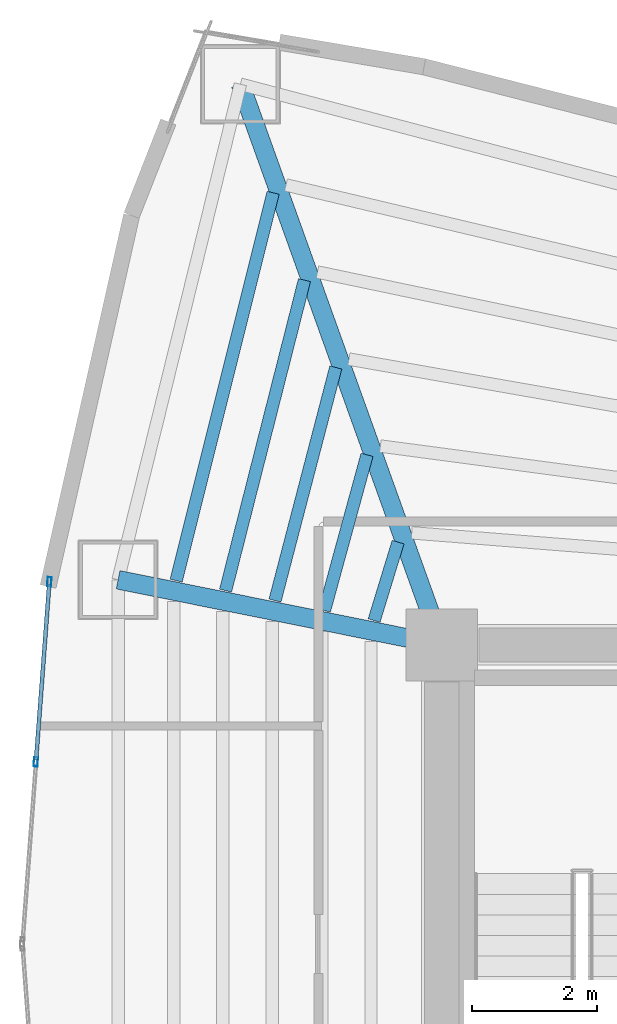
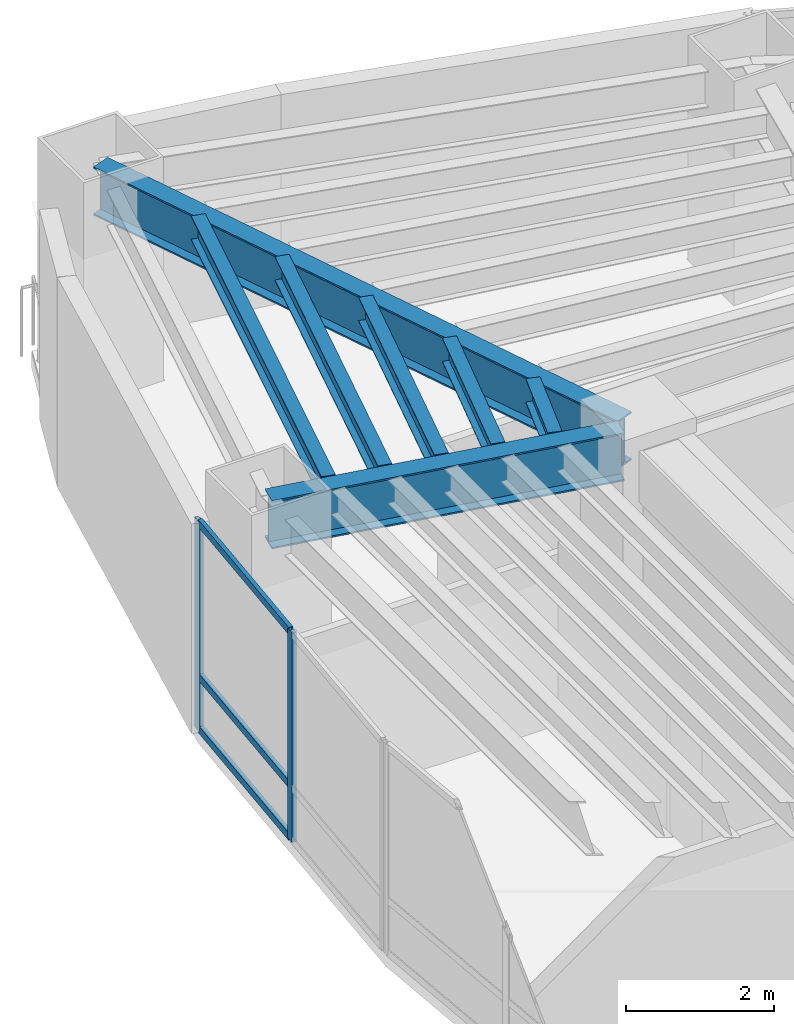
# One storey, part 7 of 18: 7 beams, 5 members, 1 element without a shape of its own.
"""IFC4 building model written with IfcOpenShell, lengths in metres."""

from ifc_helpers import new_model, si_unit, direction, frame, origin, origin_2d, place, context, subcontext, project, spatial, hollow_rectangle, i_section, extrude, material, layer, layer_set, material_profile, profile_set, type_object, element, aggregate, save


model = new_model("IFC4")

# Units and contexts
model_context = context("Model", 3, precision=1e-05, world=origin(), true_north=direction((0.0, 1.0)))
body_context = subcontext(model_context, "Body", "Model", "MODEL_VIEW")
ifc_project = project(units=[si_unit("LENGTHUNIT", "METRE"), si_unit("AREAUNIT", "SQUARE_METRE"), si_unit("VOLUMEUNIT", "CUBIC_METRE"), si_unit("PLANEANGLEUNIT", "RADIAN"), si_unit("MASSUNIT", "GRAM", prefix="KILO")], contexts=[model_context])

# Site, building, storey
site_placement = place(None, origin())
site = spatial("IfcSite", under=ifc_project, at=site_placement, CompositionType="ELEMENT")
building_placement = place(site_placement, origin())
building = spatial("IfcBuilding", under=site, at=building_placement, Name="Menara Vayukalpa", CompositionType="ELEMENT")
storey_placement = place(building_placement, frame((0.0, 0.0, 89.10009765625)))
storey = spatial("IfcBuildingStorey", under=building, at=storey_placement, Name="L21", CompositionType="ELEMENT", Elevation=89.10009765625)

# Beams
ifc_material_1 = material(Name="Steel S355", Category="steel")
ifc_material_profile_1 = material_profile(ifc_material_1, i_section(OverallWidth=0.300048828125, OverallDepth=0.800048828125, WebThickness=0.013916015625, FlangeThickness=0.02587890625, at=origin_2d()), Name="WF 800x300x14x26")
ifc_profile_set_1 = profile_set([ifc_material_profile_1], Name="Steel S355")
beam_type_1 = type_object("IfcBeamType", Name="BM-PG3", PredefinedType="BEAM", material=ifc_profile_set_1)
beam_1_placement = place(storey_placement, frame((17.715576171875, 27.035400390625, 3.06982421875), z_axis=(-0.337975542909, 0.941154892882, 0.0), x_axis=(-0.941154892882, -0.337975542909, 0.0)))
element("IfcBeam", 1, at=beam_1_placement, inside=storey, type_object=beam_type_1, Name="L21 Primary Radial Girder RG04", PredefinedType="BEAM", context=body_context, shape_type="SweptSolid", body=[
    extrude(i_section(OverallWidth=0.300048828125, OverallDepth=0.800048828125, WebThickness=0.013916015625, FlangeThickness=0.02587890625, at=origin_2d()), origin(), (0.0, 0.0, 1.0), 9.309814453125),
])
beam_2_placement = place(storey_placement, frame((17.554931640625, 26.849365234375, 3.06982421875), z_axis=(-0.980324984906, 0.197390283373, 0.0), x_axis=(-0.197390283373, -0.980324984906, 0.0)))
element("IfcBeam", 2, at=beam_2_placement, inside=storey, type_object=beam_type_1, Name="L21 Primary Radial Girder RG05", PredefinedType="BEAM", context=body_context, shape_type="SweptSolid", body=[
    extrude(i_section(OverallWidth=0.300048828125, OverallDepth=0.800048828125, WebThickness=0.013916015625, FlangeThickness=0.02587890625, at=origin_2d()), origin(), (0.0, 0.0, 1.0), 5.047607421875),
])
ifc_material_2 = material(Name="Steel S355", Category="steel")
ifc_material_profile_2 = material_profile(ifc_material_2, i_section(OverallWidth=0.199951171875, OverallDepth=0.39990234375, WebThickness=0.008056640625, FlangeThickness=0.012939453125, at=origin_2d()), Name="WF 400x200x8x13")
ifc_profile_set_2 = profile_set([ifc_material_profile_2], Name="Steel S355")
beam_type_2 = type_object("IfcBeamType", Name="BM-SJ2", PredefinedType="JOIST", material=ifc_profile_set_2)
beam_3_placement = place(storey_placement, frame((17.099365234375, 28.449951171875, 3.27001953125), z_axis=(-0.292651981473, -0.956219021846, 0.0), x_axis=(0.956219021846, -0.292651981473, 0.0)))
element("IfcBeam", 3, at=beam_3_placement, inside=storey, type_object=beam_type_2, Name="L21 Secondary Floor Joist SJ04-1", PredefinedType="JOIST", context=body_context, shape_type="SweptSolid", body=[
    extrude(i_section(OverallWidth=0.199951171875, OverallDepth=0.39990234375, WebThickness=0.008056640625, FlangeThickness=0.012939453125, at=origin_2d()), origin(), (0.0, 0.0, 1.0), 1.31640625),
])
beam_4_placement = place(storey_placement, frame((16.600830078125, 29.850341796875, 3.27001953125), z_axis=(-0.263922858843, -0.964543790908, 0.0), x_axis=(0.964543790908, -0.263922858843, 0.0)))
element("IfcBeam", 4, at=beam_4_placement, inside=storey, type_object=beam_type_2, Name="L21 Secondary Floor Joist SJ04-2", PredefinedType="JOIST", context=body_context, shape_type="SweptSolid", body=[
    extrude(i_section(OverallWidth=0.199951171875, OverallDepth=0.39990234375, WebThickness=0.008056640625, FlangeThickness=0.012939453125, at=origin_2d()), origin(), (0.0, 0.0, 1.0), 2.590087890625),
])
beam_5_placement = place(storey_placement, frame((16.099365234375, 31.251953125, 3.27001953125), z_axis=(-0.252406469257, -0.967621296933, 0.0), x_axis=(0.967621296933, -0.252406469257, 0.0)))
element("IfcBeam", 5, at=beam_5_placement, inside=storey, type_object=beam_type_2, Name="L21 Secondary Floor Joist SJ04-3", PredefinedType="JOIST", context=body_context, shape_type="SweptSolid", body=[
    extrude(i_section(OverallWidth=0.199951171875, OverallDepth=0.39990234375, WebThickness=0.008056640625, FlangeThickness=0.012939453125, at=origin_2d()), origin(), (0.0, 0.0, 1.0), 3.865234375),
])
beam_6_placement = place(storey_placement, frame((15.596923828125, 32.653564453125, 3.27001953125), z_axis=(-0.246311066692, -0.969190826631, 0.0), x_axis=(0.969190826631, -0.246311066692, 0.0)))
element("IfcBeam", 6, at=beam_6_placement, inside=storey, type_object=beam_type_2, Name="L21 Secondary Floor Joist SJ04-4", PredefinedType="JOIST", context=body_context, shape_type="SweptSolid", body=[
    extrude(i_section(OverallWidth=0.199951171875, OverallDepth=0.39990234375, WebThickness=0.008056640625, FlangeThickness=0.012939453125, at=origin_2d()), origin(), (0.0, 0.0, 1.0), 5.140380859375),
])
beam_7_placement = place(storey_placement, frame((15.09423828125, 34.055419921875, 3.27001953125), z_axis=(-0.242481900969, -0.970155929582, 0.0), x_axis=(0.970155929582, -0.242481900969, 0.0)))
element("IfcBeam", 7, at=beam_7_placement, inside=storey, type_object=beam_type_2, Name="L21 Secondary Floor Joist SJ04-5", PredefinedType="JOIST", context=body_context, shape_type="SweptSolid", body=[
    extrude(i_section(OverallWidth=0.199951171875, OverallDepth=0.39990234375, WebThickness=0.008056640625, FlangeThickness=0.012939453125, at=origin_2d()), origin(), (0.0, 0.0, 1.0), 6.41552734375),
])

# Curtain wall, members
ifc_material_3 = material(Name="Anodised Terracotta Aluminium Alloy 6063-T6", Category="masonry")
ifc_layer = layer(ifc_material_3, 0.14990234375)
ifc_layer_set = layer_set([ifc_layer], Name="Anodised Terracotta Aluminium Alloy 6063-T6")
curtain_wall_type = type_object("IfcCurtainWallType", Name="CW-CW3", PredefinedType="USERDEFINED", material=ifc_layer_set)
curtain_wall_placement = place(storey_placement, origin())
curtain_wall = element("IfcCurtainWall", 8, at=curtain_wall_placement, inside=storey, type_object=curtain_wall_type, Name="L21 Mid Rise Terracotta Ribbon Curtain Wall CW3 10", ObjectType="UNITISED", PredefinedType="USERDEFINED")
ifc_material_4 = material(Name="Anodised Terracotta Aluminium Alloy 6063-T6", Category="masonry")
ifc_material_profile_3 = material_profile(ifc_material_4, hollow_rectangle(XDim=0.06494140625, YDim=0.14990234375, WallThickness=0.00341796875, at=origin_2d()), Name="ALU 65x150x3.5")
ifc_profile_set_3 = profile_set([ifc_material_profile_3], Name="Anodised Terracotta Aluminium Alloy 6063-T6")
member_type_1 = type_object("IfcMemberType", Name="CWM-CW3", PredefinedType="MULLION", material=ifc_profile_set_3)
member_1_placement = place(storey_placement, frame((11.504150390625, 27.813232421875, 0.0), z_axis=(0.0, 0.0, 1.0), x_axis=(0.997199659745, -0.07478528334, 0.0)))
member_1 = element("IfcMember", 9, at=member_1_placement, type_object=member_type_1, Name="CW3 mullion 1", PredefinedType="MULLION", context=body_context, shape_type="SweptSolid", body=[
    extrude(hollow_rectangle(XDim=0.06494140625, YDim=0.14990234375, WallThickness=0.00341796875, at=origin_2d()), origin(), (0.0, 0.0, 1.0), 3.469970703125),
])
member_2_placement = place(storey_placement, frame((11.287353515625, 24.9228515625, 0.0), z_axis=(0.0, 0.0, 1.0), x_axis=(0.997199659745, -0.07478528334, 0.0)))
member_2 = element("IfcMember", 10, at=member_2_placement, type_object=member_type_1, Name="CW3 mullion 2", PredefinedType="MULLION", context=body_context, shape_type="SweptSolid", body=[
    extrude(hollow_rectangle(XDim=0.06494140625, YDim=0.14990234375, WallThickness=0.00341796875, at=origin_2d()), origin(), (0.0, 0.0, 1.0), 3.469970703125),
])
ifc_material_5 = material(Name="Anodised Terracotta Aluminium Alloy 6063-T6", Category="masonry")
ifc_material_profile_4 = material_profile(ifc_material_5, hollow_rectangle(XDim=0.06494140625, YDim=0.1201171875, WallThickness=0.00341796875, at=origin_2d()), Name="ALU 65x120x3.5")
ifc_profile_set_4 = profile_set([ifc_material_profile_4], Name="Anodised Terracotta Aluminium Alloy 6063-T6")
member_type_2 = type_object("IfcMemberType", Name="CWT-CW3", PredefinedType="USERDEFINED", material=ifc_profile_set_4)
member_3_placement = place(storey_placement, frame((11.501708984375, 27.78076171875, 0.032470703125), z_axis=(-0.074792090342, -0.997199149229, 0.0), x_axis=(0.997199149229, -0.074792090342, 0.0)))
member_3 = element("IfcMember", 11, at=member_3_placement, type_object=member_type_2, Name="CW3 transom 1.1", ObjectType="TRANSOM", PredefinedType="USERDEFINED", context=body_context, shape_type="SweptSolid", body=[
    extrude(hollow_rectangle(XDim=0.06494140625, YDim=0.1201171875, WallThickness=0.00341796875, at=origin_2d()), origin(), (0.0, 0.0, 1.0), 2.83349609375),
])
member_4_placement = place(storey_placement, frame((11.501708984375, 27.78076171875, 0.89990234375), z_axis=(-0.074792090342, -0.997199149229, 0.0), x_axis=(0.997199149229, -0.074792090342, 0.0)))
member_4 = element("IfcMember", 12, at=member_4_placement, type_object=member_type_2, Name="CW3 transom 1.2", ObjectType="TRANSOM", PredefinedType="USERDEFINED", context=body_context, shape_type="SweptSolid", body=[
    extrude(hollow_rectangle(XDim=0.06494140625, YDim=0.1201171875, WallThickness=0.00341796875, at=origin_2d()), origin(), (0.0, 0.0, 1.0), 2.83349609375),
])
member_5_placement = place(storey_placement, frame((11.501708984375, 27.78076171875, 3.4375), z_axis=(-0.074792090342, -0.997199149229, 0.0), x_axis=(0.997199149229, -0.074792090342, 0.0)))
member_5 = element("IfcMember", 13, at=member_5_placement, type_object=member_type_2, Name="CW3 transom 1.3", ObjectType="TRANSOM", PredefinedType="USERDEFINED", context=body_context, shape_type="SweptSolid", body=[
    extrude(hollow_rectangle(XDim=0.06494140625, YDim=0.1201171875, WallThickness=0.00341796875, at=origin_2d()), origin(), (0.0, 0.0, 1.0), 2.83349609375),
])
aggregate(curtain_wall, [member_1, member_2, member_3, member_4, member_5])

save(model, "model.ifc")
